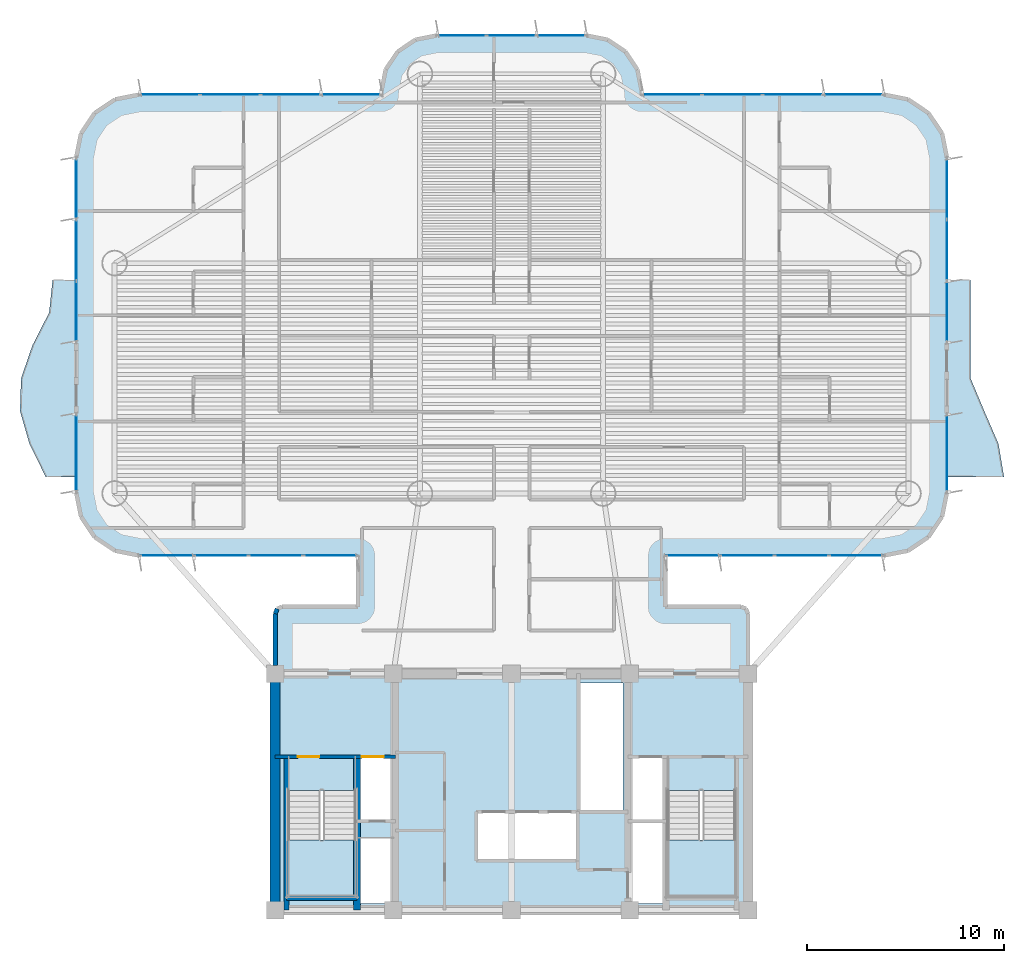
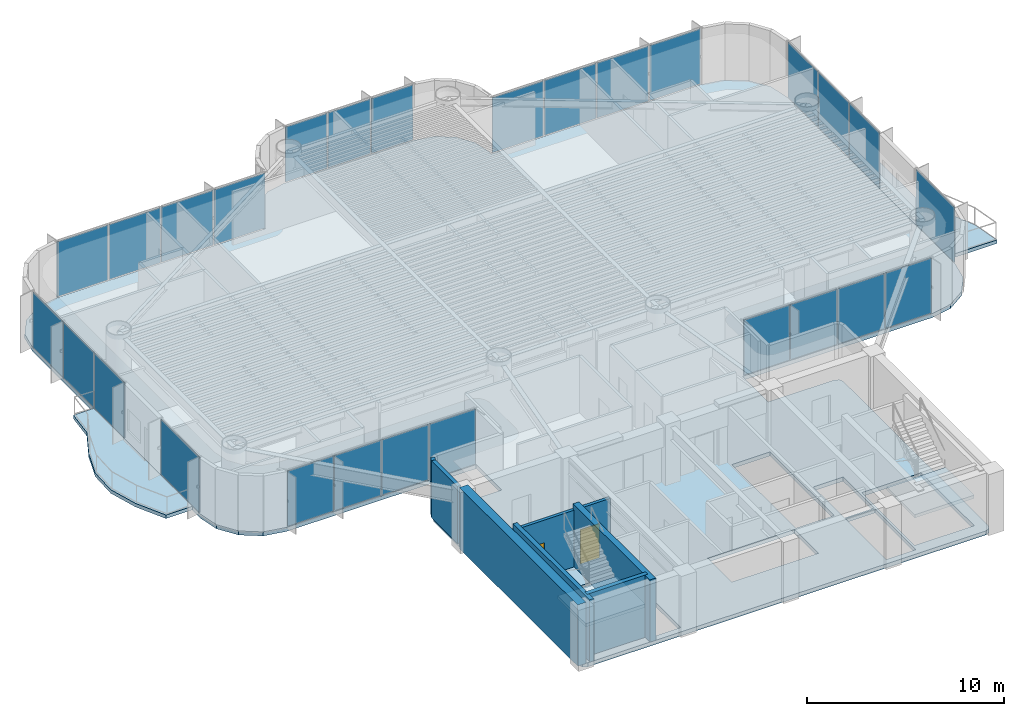
# One storey, part 8 of 17: 27 plates, 7 walls, 5 slabs, 2 doors, 2 openings, 11 elements without a shape of their own.
"""IFC4 building model written with IfcOpenShell, lengths in metres."""

from ifc_helpers import new_model, si_unit, direction, frame, frame_2d, origin, origin_2d, place, context, subcontext, project, spatial, polyline, rectangle, outline, extrude, source, transform, mapped, material, layer, layer_set, type_object, element, fill, aggregate, save


model = new_model("IFC4")

# Units and contexts
model_context = context("Model", 3, precision=1e-05, world=origin(), true_north=direction((0.0, 1.0)))
body_context = subcontext(model_context, "Body", "Model", "MODEL_VIEW")
ifc_project = project(units=[si_unit("LENGTHUNIT", "METRE"), si_unit("AREAUNIT", "SQUARE_METRE"), si_unit("VOLUMEUNIT", "CUBIC_METRE"), si_unit("PLANEANGLEUNIT", "RADIAN"), si_unit("MASSUNIT", "GRAM", prefix="KILO")], contexts=[model_context])

# Site, building, storey
site_placement = place(None, origin())
site = spatial("IfcSite", under=ifc_project, at=site_placement, CompositionType="ELEMENT")
building_placement = place(site_placement, origin())
building = spatial("IfcBuilding", under=site, at=building_placement, Name="Brelvock Crest Care Tower", CompositionType="ELEMENT")
storey_placement = place(building_placement, frame((0.0, 0.0, 135.179931640625)))
storey = spatial("IfcBuildingStorey", under=building, at=storey_placement, Name="L34", CompositionType="ELEMENT", Elevation=135.179931640625)

# Slabs
ifc_material_1 = material(Name="Concrete N50 (50 MPa)", Category="concrete")
ifc_layer_1 = layer(ifc_material_1, 0.25, Name="SLB-FL3")
ifc_layer_set_1 = layer_set([ifc_layer_1], Name="Concrete N50 (50 MPa)")
slab_type_1 = type_object("IfcSlabType", Name="SLB-FL3", PredefinedType="FLOOR", material=ifc_layer_set_1)
slab_1_placement = place(storey_placement, frame((0.0, 0.0, -0.25)))
element("IfcSlab", 1, at=slab_1_placement, inside=storey, type_object=slab_type_1, Name="L34 Main Structural Slab", PredefinedType="FLOOR", context=body_context, shape_type="SweptSolid", body=[
    extrude(outline(polyline([(47.64990234375, 21.39990234375), (43.800048828125, 21.39990234375), (43.800048828125, 24.0), (54.89990234375, 24.0), (56.12451171875, 24.24365234375), (57.16259765625, 24.937255859375), (57.8564453125, 25.975341796875), (58.10009765625, 27.199951171875), (58.10009765625, 44.199951171875), (57.8564453125, 45.424560546875), (57.16259765625, 46.462646484375), (56.12451171875, 47.156494140625), (54.89990234375, 47.39990234375), (42.60009765625, 47.39990234375), (42.60009765625, 47.60009765625), (42.386962890625, 48.67138671875), (41.77978515625, 49.579833984375), (40.87158203125, 50.18701171875), (39.800048828125, 50.39990234375), (32.199951171875, 50.39990234375), (31.12841796875, 50.18701171875), (30.22021484375, 49.579833984375), (29.613037109375, 48.67138671875), (29.39990234375, 47.60009765625), (29.39990234375, 47.39990234375), (17.10009765625, 47.39990234375), (15.87548828125, 47.156494140625), (14.83740234375, 46.462646484375), (14.1435546875, 45.424560546875), (13.89990234375, 44.199951171875), (13.89990234375, 27.199951171875), (14.1435546875, 25.975341796875), (14.83740234375, 24.937255859375), (15.87548828125, 24.24365234375), (17.10009765625, 24.0), (28.199951171875, 24.0), (28.199951171875, 21.39990234375), (24.35009765625, 21.39990234375), (24.1025390625, 21.297607421875), (24.0, 21.050048828125), (24.0, 6.35009765625), (24.1025390625, 6.1025390625), (24.35009765625, 6.0), (47.64990234375, 6.0), (47.8974609375, 6.1025390625), (48.0, 6.35009765625), (48.0, 21.050048828125), (47.8974609375, 21.297607421875), (47.64990234375, 21.39990234375)]), holes=[polyline([(28.239990234375, 10.580078125), (29.97998046875, 10.580078125), (29.97998046875, 13.739990234375), (28.239990234375, 13.739990234375), (28.239990234375, 10.580078125)]), polyline([(42.02001953125, 10.580078125), (43.760009765625, 10.580078125), (43.760009765625, 13.739990234375), (42.02001953125, 13.739990234375), (42.02001953125, 10.580078125)]), polyline([(28.239990234375, 6.340087890625), (29.97998046875, 6.340087890625), (29.97998046875, 9.64990234375), (28.239990234375, 9.64990234375), (28.239990234375, 6.340087890625)]), polyline([(24.6298828125, 12.080078125), (24.6298828125, 6.699951171875), (28.110107421875, 6.699951171875), (28.110107421875, 12.080078125), (24.6298828125, 12.080078125)]), polyline([(43.889892578125, 12.080078125), (43.889892578125, 6.699951171875), (47.3701171875, 6.699951171875), (47.3701171875, 12.080078125), (43.889892578125, 12.080078125)]), polyline([(42.02001953125, 6.340087890625), (43.760009765625, 6.340087890625), (43.760009765625, 10.5), (42.02001953125, 10.5), (42.02001953125, 6.340087890625)]), polyline([(34.22998046875, 8.530029296875), (39.320068359375, 8.530029296875), (39.320068359375, 10.969970703125), (34.22998046875, 10.969970703125), (34.22998046875, 8.530029296875)]), polyline([(39.429931640625, 11.030029296875), (41.669921875, 11.030029296875), (41.669921875, 17.52001953125), (39.429931640625, 17.52001953125), (39.429931640625, 11.030029296875)])]), origin(), (0.0, 0.0, 1.0), 0.25),
])
ifc_layer_2 = layer(ifc_material_1, 0.219970703125, Name="SLB-WB1")
ifc_layer_set_2 = layer_set([ifc_layer_2], Name="Concrete N50 (50 MPa)")
slab_type_2 = type_object("IfcSlabType", Name="SLB-WB1", PredefinedType="FLOOR", material=ifc_layer_set_2)
slab_2_placement = place(storey_placement, frame((0.0, 0.0, -0.219970703125)))
element("IfcSlab", 2, at=slab_2_placement, inside=storey, type_object=slab_type_2, Name="L34 W Sinusoidal Wave Balcony Slab", PredefinedType="FLOOR", context=body_context, shape_type="SweptSolid", body=[
    extrude(outline(polyline([(13.89990234375, 38.0), (12.699951171875, 38.0), (12.526123046875, 36.333251953125), (11.675048828125, 34.666748046875), (11.102783203125, 33.0), (11.0458984375, 31.333251953125), (11.5283203125, 29.666748046875), (12.35009765625, 28.0), (13.89990234375, 28.0), (13.89990234375, 38.0)])), origin(), (0.0, 0.0, 1.0), 0.219970703125),
])
slab_3_placement = place(storey_placement, frame((0.0, 0.0, -0.219970703125)))
element("IfcSlab", 3, at=slab_3_placement, inside=storey, type_object=slab_type_2, Name="L34 E Sinusoidal Wave Balcony Slab", PredefinedType="FLOOR", context=body_context, shape_type="SweptSolid", body=[
    extrude(outline(polyline([(58.10009765625, 28.0), (61.0, 28.0), (60.720947265625, 29.666748046875), (59.99951171875, 31.333251953125), (59.300048828125, 33.0), (59.300048828125, 34.666748046875), (59.300048828125, 36.333251953125), (59.300048828125, 38.0), (58.10009765625, 38.0), (58.10009765625, 28.0)])), origin(), (0.0, 0.0, 1.0), 0.219970703125),
])

# Stair, slab
ifc_material_2 = material(Name="Concrete N40 (40 MPa)", Category="concrete")
stair_type = type_object("IfcStairType", Name="ST-CORE1", PredefinedType="HALF_TURN_STAIR", material=ifc_material_2)
stair_1_placement = place(storey_placement, origin())
stair_1 = element("IfcStair", 4, at=stair_1_placement, inside=storey, type_object=stair_type, Name="L34 Fire-Isolated Core Stair ST-1", PredefinedType="HALF_TURN_STAIR")
ifc_layer_3 = layer(ifc_material_2, 0.199951171875, Name="STL-1")
ifc_layer_set_3 = layer_set([ifc_layer_3], Name="Concrete N40 (40 MPa)")
slab_type_3 = type_object("IfcSlabType", Name="STL-1", PredefinedType="LANDING", material=ifc_layer_set_3)
slab_4_placement = place(storey_placement, frame((0.0, 0.0, 1.690185546875)))
slab_4 = element("IfcSlab", 5, at=slab_4_placement, type_object=slab_type_3, Name="ST-1 landing 1", PredefinedType="LANDING", context=body_context, shape_type="SweptSolid", body=[
    extrude(outline(polyline([(24.6298828125, 9.56005859375), (24.6298828125, 6.699951171875), (28.110107421875, 6.699951171875), (28.110107421875, 9.56005859375), (24.6298828125, 9.56005859375)])), origin(), (0.0, 0.0, 1.0), 0.199951171875),
])
aggregate(stair_1, [slab_4])

stair_2_placement = place(storey_placement, origin())
stair_2 = element("IfcStair", 6, at=stair_2_placement, inside=storey, type_object=stair_type, Name="L34 Fire-Isolated Core Stair ST-2", PredefinedType="HALF_TURN_STAIR")
slab_5_placement = place(storey_placement, frame((0.0, 0.0, 1.690185546875)))
slab_5 = element("IfcSlab", 7, at=slab_5_placement, type_object=slab_type_3, Name="ST-2 landing 1", PredefinedType="LANDING", context=body_context, shape_type="SweptSolid", body=[
    extrude(outline(polyline([(43.889892578125, 9.56005859375), (43.889892578125, 6.699951171875), (47.3701171875, 6.699951171875), (47.3701171875, 9.56005859375), (43.889892578125, 9.56005859375)])), origin(), (0.0, 0.0, 1.0), 0.199951171875),
])
aggregate(stair_2, [slab_5])

# Curtain wall, plates
ifc_material_3 = material(Name="Dark Glass Double Glazed Low-E", Category="glass")
ifc_layer_4 = layer(ifc_material_3, 0.2099609375, Name="CWS-3")
ifc_layer_set_4 = layer_set([ifc_layer_4], Name="Dark Glass Double Glazed Low-E")
curtain_wall_type = type_object("IfcCurtainWallType", Name="CWS-3", PredefinedType="NOTDEFINED", material=ifc_layer_set_4)
curtain_wall_1_placement = place(storey_placement, origin())
curtain_wall_1 = element("IfcCurtainWall", 8, at=curtain_wall_1_placement, inside=storey, type_object=curtain_wall_type, Name="L34 Curtain Wall E12", PredefinedType="NOTDEFINED")
ifc_layer_5 = layer(ifc_material_3, 0.031982421875, Name="CWP-V1")
ifc_layer_set_5 = layer_set([ifc_layer_5], Name="Dark Glass Double Glazed Low-E")
plate_type = type_object("IfcPlateType", Name="CWP-V1", PredefinedType="CURTAIN_PANEL", material=ifc_layer_set_5)
shared_shape_1 = source(origin(), body_context, "Body", "SweptSolid", [
    extrude(rectangle(XDim=2.68505859375, YDim=0.035888671875, at=origin_2d()), origin(), (0.0, 0.0, 1.0), 3.409912109375),
])
plate_1_placement = place(storey_placement, frame((26.797607421875, 24.0, 0.06005859375), z_axis=(0.0, 0.0, 1.0), x_axis=(-1.0, 0.0, 0.0)))
plate_1 = element("IfcPlate", 9, at=plate_1_placement, type_object=plate_type, Name="CW-3 panel 1.1", PredefinedType="CURTAIN_PANEL", context=body_context, shape_type="MappedRepresentation", body=[
    mapped(shared_shape_1, transform((0.0, 0.0, 0.0), x_axis=(1.0, 0.0, 0.0), y_axis=(0.0, 1.0, 0.0), z_axis=(0.0, 0.0, 1.0), scale=1.0)),
])
plate_2_placement = place(storey_placement, frame((18.50244140625, 24.0, 0.06005859375), z_axis=(0.0, 0.0, 1.0), x_axis=(-1.0, 0.0, 0.0)))
plate_2 = element("IfcPlate", 10, at=plate_2_placement, type_object=plate_type, Name="CW-3 panel 4.1", PredefinedType="CURTAIN_PANEL", context=body_context, shape_type="MappedRepresentation", body=[
    mapped(shared_shape_1, transform((0.0, 0.0, 0.0), x_axis=(1.0, 0.0, 0.0), y_axis=(0.0, 1.0, 0.0), z_axis=(0.0, 0.0, 1.0), scale=1.0)),
])

curtain_wall_2_placement = place(storey_placement, origin())
curtain_wall_2 = element("IfcCurtainWall", 11, at=curtain_wall_2_placement, inside=storey, type_object=curtain_wall_type, Name="L34 Curtain Wall E44", PredefinedType="NOTDEFINED")
plate_3_placement = place(storey_placement, frame((53.49755859375, 24.0, 0.06005859375), z_axis=(0.0, 0.0, 1.0), x_axis=(-1.0, 0.0, 0.0)))
plate_3 = element("IfcPlate", 12, at=plate_3_placement, type_object=plate_type, Name="CW-3 panel 1.1", PredefinedType="CURTAIN_PANEL", context=body_context, shape_type="MappedRepresentation", body=[
    mapped(shared_shape_1, transform((0.0, 0.0, 0.0), x_axis=(1.0, 0.0, 0.0), y_axis=(0.0, 1.0, 0.0), z_axis=(0.0, 0.0, 1.0), scale=1.0)),
])
plate_4_placement = place(storey_placement, frame((45.202392578125, 24.0, 0.06005859375), z_axis=(0.0, 0.0, 1.0), x_axis=(-1.0, 0.0, 0.0)))
plate_4 = element("IfcPlate", 13, at=plate_4_placement, type_object=plate_type, Name="CW-3 panel 4.1", PredefinedType="CURTAIN_PANEL", context=body_context, shape_type="MappedRepresentation", body=[
    mapped(shared_shape_1, transform((0.0, 0.0, 0.0), x_axis=(1.0, 0.0, 0.0), y_axis=(0.0, 1.0, 0.0), z_axis=(0.0, 0.0, 1.0), scale=1.0)),
])

# Plate
shared_shape_2 = source(origin(), body_context, "Body", "SweptSolid", [
    extrude(rectangle(XDim=2.715087890625, YDim=0.035888671875, at=origin_2d()), origin(), (0.0, 0.0, 1.0), 3.409912109375),
])
plate_5_placement = place(storey_placement, frame((24.03759765625, 24.0, 0.06005859375), z_axis=(0.0, 0.0, 1.0), x_axis=(-1.0, 0.0, 0.0)))
plate_5 = element("IfcPlate", 14, at=plate_5_placement, type_object=plate_type, Name="CW-3 panel 2.1", PredefinedType="CURTAIN_PANEL", context=body_context, shape_type="MappedRepresentation", body=[
    mapped(shared_shape_2, transform((0.0, 0.0, 0.0), x_axis=(1.0, 0.0, 0.0), y_axis=(0.0, 1.0, 0.0), z_axis=(0.0, 0.0, 1.0), scale=1.0)),
])

plate_6_placement = place(storey_placement, frame((21.262451171875, 24.0, 0.06005859375), z_axis=(0.0, 0.0, 1.0), x_axis=(-1.0, 0.0, 0.0)))
plate_6 = element("IfcPlate", 15, at=plate_6_placement, type_object=plate_type, Name="CW-3 panel 3.1", PredefinedType="CURTAIN_PANEL", context=body_context, shape_type="MappedRepresentation", body=[
    mapped(shared_shape_2, transform((0.0, 0.0, 0.0), x_axis=(1.0, 0.0, 0.0), y_axis=(0.0, 1.0, 0.0), z_axis=(0.0, 0.0, 1.0), scale=1.0)),
])

aggregate(curtain_wall_1, [plate_1, plate_5, plate_6, plate_2])

plate_7_placement = place(storey_placement, frame((50.737548828125, 24.0, 0.06005859375), z_axis=(0.0, 0.0, 1.0), x_axis=(-1.0, 0.0, 0.0)))
plate_7 = element("IfcPlate", 16, at=plate_7_placement, type_object=plate_type, Name="CW-3 panel 2.1", PredefinedType="CURTAIN_PANEL", context=body_context, shape_type="MappedRepresentation", body=[
    mapped(shared_shape_2, transform((0.0, 0.0, 0.0), x_axis=(1.0, 0.0, 0.0), y_axis=(0.0, 1.0, 0.0), z_axis=(0.0, 0.0, 1.0), scale=1.0)),
])

plate_8_placement = place(storey_placement, frame((47.96240234375, 24.0, 0.06005859375), z_axis=(0.0, 0.0, 1.0), x_axis=(-1.0, 0.0, 0.0)))
plate_8 = element("IfcPlate", 17, at=plate_8_placement, type_object=plate_type, Name="CW-3 panel 3.1", PredefinedType="CURTAIN_PANEL", context=body_context, shape_type="MappedRepresentation", body=[
    mapped(shared_shape_2, transform((0.0, 0.0, 0.0), x_axis=(1.0, 0.0, 0.0), y_axis=(0.0, 1.0, 0.0), z_axis=(0.0, 0.0, 1.0), scale=1.0)),
])

aggregate(curtain_wall_2, [plate_3, plate_7, plate_8, plate_4])

# Curtain wall, plates
curtain_wall_3_placement = place(storey_placement, origin())
curtain_wall_3 = element("IfcCurtainWall", 18, at=curtain_wall_3_placement, inside=storey, type_object=curtain_wall_type, Name="L34 Curtain Wall E22", PredefinedType="NOTDEFINED")
shared_shape_3 = source(origin(), body_context, "Body", "SweptSolid", [
    extrude(rectangle(XDim=2.985107421875, YDim=0.035888671875, at=origin_2d()), origin(), (0.0, 0.0, 1.0), 3.409912109375),
])
plate_9_placement = place(storey_placement, frame((18.652587890625, 47.39990234375, 0.06005859375), z_axis=(0.0, 0.0, 1.0), x_axis=(1.0, 0.0, 0.0)))
plate_9 = element("IfcPlate", 19, at=plate_9_placement, type_object=plate_type, Name="CW-3 panel 1.1", PredefinedType="CURTAIN_PANEL", context=body_context, shape_type="MappedRepresentation", body=[
    mapped(shared_shape_3, transform((0.0, 0.0, 0.0), x_axis=(1.0, 0.0, 0.0), y_axis=(0.0, 1.0, 0.0), z_axis=(0.0, 0.0, 1.0), scale=1.0)),
])
plate_10_placement = place(storey_placement, frame((27.847412109375, 47.39990234375, 0.06005859375), z_axis=(0.0, 0.0, 1.0), x_axis=(1.0, 0.0, 0.0)))
plate_10 = element("IfcPlate", 20, at=plate_10_placement, type_object=plate_type, Name="CW-3 panel 4.1", PredefinedType="CURTAIN_PANEL", context=body_context, shape_type="MappedRepresentation", body=[
    mapped(shared_shape_3, transform((0.0, 0.0, 0.0), x_axis=(1.0, 0.0, 0.0), y_axis=(0.0, 1.0, 0.0), z_axis=(0.0, 0.0, 1.0), scale=1.0)),
])

curtain_wall_4_placement = place(storey_placement, origin())
curtain_wall_4 = element("IfcCurtainWall", 21, at=curtain_wall_4_placement, inside=storey, type_object=curtain_wall_type, Name="L34 Curtain Wall E34", PredefinedType="NOTDEFINED")
plate_11_placement = place(storey_placement, frame((44.152587890625, 47.39990234375, 0.06005859375), z_axis=(0.0, 0.0, 1.0), x_axis=(1.0, 0.0, 0.0)))
plate_11 = element("IfcPlate", 22, at=plate_11_placement, type_object=plate_type, Name="CW-3 panel 1.1", PredefinedType="CURTAIN_PANEL", context=body_context, shape_type="MappedRepresentation", body=[
    mapped(shared_shape_3, transform((0.0, 0.0, 0.0), x_axis=(1.0, 0.0, 0.0), y_axis=(0.0, 1.0, 0.0), z_axis=(0.0, 0.0, 1.0), scale=1.0)),
])
plate_12_placement = place(storey_placement, frame((53.347412109375, 47.39990234375, 0.06005859375), z_axis=(0.0, 0.0, 1.0), x_axis=(1.0, 0.0, 0.0)))
plate_12 = element("IfcPlate", 23, at=plate_12_placement, type_object=plate_type, Name="CW-3 panel 4.1", PredefinedType="CURTAIN_PANEL", context=body_context, shape_type="MappedRepresentation", body=[
    mapped(shared_shape_3, transform((0.0, 0.0, 0.0), x_axis=(1.0, 0.0, 0.0), y_axis=(0.0, 1.0, 0.0), z_axis=(0.0, 0.0, 1.0), scale=1.0)),
])

# Plate
shared_shape_4 = source(origin(), body_context, "Body", "SweptSolid", [
    extrude(rectangle(XDim=3.014892578125, YDim=0.035888671875, at=origin_2d()), origin(), (0.0, 0.0, 1.0), 3.409912109375),
])
plate_13_placement = place(storey_placement, frame((21.71240234375, 47.39990234375, 0.06005859375), z_axis=(0.0, 0.0, 1.0), x_axis=(1.0, 0.0, 0.0)))
plate_13 = element("IfcPlate", 24, at=plate_13_placement, type_object=plate_type, Name="CW-3 panel 2.1", PredefinedType="CURTAIN_PANEL", context=body_context, shape_type="MappedRepresentation", body=[
    mapped(shared_shape_4, transform((0.0, 0.0, 0.0), x_axis=(1.0, 0.0, 0.0), y_axis=(0.0, 1.0, 0.0), z_axis=(0.0, 0.0, 1.0), scale=1.0)),
])

plate_14_placement = place(storey_placement, frame((24.78759765625, 47.39990234375, 0.06005859375), z_axis=(0.0, 0.0, 1.0), x_axis=(1.0, 0.0, 0.0)))
plate_14 = element("IfcPlate", 25, at=plate_14_placement, type_object=plate_type, Name="CW-3 panel 3.1", PredefinedType="CURTAIN_PANEL", context=body_context, shape_type="MappedRepresentation", body=[
    mapped(shared_shape_4, transform((0.0, 0.0, 0.0), x_axis=(1.0, 0.0, 0.0), y_axis=(0.0, 1.0, 0.0), z_axis=(0.0, 0.0, 1.0), scale=1.0)),
])

aggregate(curtain_wall_3, [plate_9, plate_13, plate_14, plate_10])

plate_15_placement = place(storey_placement, frame((47.21240234375, 47.39990234375, 0.06005859375), z_axis=(0.0, 0.0, 1.0), x_axis=(1.0, 0.0, 0.0)))
plate_15 = element("IfcPlate", 26, at=plate_15_placement, type_object=plate_type, Name="CW-3 panel 2.1", PredefinedType="CURTAIN_PANEL", context=body_context, shape_type="MappedRepresentation", body=[
    mapped(shared_shape_4, transform((0.0, 0.0, 0.0), x_axis=(1.0, 0.0, 0.0), y_axis=(0.0, 1.0, 0.0), z_axis=(0.0, 0.0, 1.0), scale=1.0)),
])

plate_16_placement = place(storey_placement, frame((50.28759765625, 47.39990234375, 0.06005859375), z_axis=(0.0, 0.0, 1.0), x_axis=(1.0, 0.0, 0.0)))
plate_16 = element("IfcPlate", 27, at=plate_16_placement, type_object=plate_type, Name="CW-3 panel 3.1", PredefinedType="CURTAIN_PANEL", context=body_context, shape_type="MappedRepresentation", body=[
    mapped(shared_shape_4, transform((0.0, 0.0, 0.0), x_axis=(1.0, 0.0, 0.0), y_axis=(0.0, 1.0, 0.0), z_axis=(0.0, 0.0, 1.0), scale=1.0)),
])

aggregate(curtain_wall_4, [plate_11, plate_15, plate_16, plate_12])

# Curtain wall, plates
curtain_wall_5_placement = place(storey_placement, origin())
curtain_wall_5 = element("IfcCurtainWall", 28, at=curtain_wall_5_placement, inside=storey, type_object=curtain_wall_type, Name="L34 Curtain Wall E28", PredefinedType="NOTDEFINED")
shared_shape_5 = source(origin(), body_context, "Body", "SweptSolid", [
    extrude(rectangle(XDim=2.443359375, YDim=0.035888671875, at=origin_2d()), origin(), (0.0, 0.0, 1.0), 3.409912109375),
])
plate_17_placement = place(storey_placement, frame((33.481689453125, 50.39990234375, 0.06005859375), z_axis=(0.0, 0.0, 1.0), x_axis=(1.0, 0.0, 0.0)))
plate_17 = element("IfcPlate", 29, at=plate_17_placement, type_object=plate_type, Name="CW-3 panel 1.1", PredefinedType="CURTAIN_PANEL", context=body_context, shape_type="MappedRepresentation", body=[
    mapped(shared_shape_5, transform((0.0, 0.0, 0.0), x_axis=(1.0, 0.0, 0.0), y_axis=(0.0, 1.0, 0.0), z_axis=(0.0, 0.0, 1.0), scale=1.0)),
])
plate_18_placement = place(storey_placement, frame((38.518310546875, 50.39990234375, 0.06005859375), z_axis=(0.0, 0.0, 1.0), x_axis=(1.0, 0.0, 0.0)))
plate_18 = element("IfcPlate", 30, at=plate_18_placement, type_object=plate_type, Name="CW-3 panel 3.1", PredefinedType="CURTAIN_PANEL", context=body_context, shape_type="MappedRepresentation", body=[
    mapped(shared_shape_5, transform((0.0, 0.0, 0.0), x_axis=(1.0, 0.0, 0.0), y_axis=(0.0, 1.0, 0.0), z_axis=(0.0, 0.0, 1.0), scale=1.0)),
])
shared_shape_6 = source(origin(), body_context, "Body", "SweptSolid", [
    extrude(rectangle(XDim=2.473388671875, YDim=0.035888671875, at=origin_2d()), origin(), (0.0, 0.0, 1.0), 3.409912109375),
])
plate_19_placement = place(storey_placement, frame((36.0, 50.39990234375, 0.06005859375), z_axis=(0.0, 0.0, 1.0), x_axis=(1.0, 0.0, 0.0)))
plate_19 = element("IfcPlate", 31, at=plate_19_placement, type_object=plate_type, Name="CW-3 panel 2.1", PredefinedType="CURTAIN_PANEL", context=body_context, shape_type="MappedRepresentation", body=[
    mapped(shared_shape_6, transform((0.0, 0.0, 0.0), x_axis=(1.0, 0.0, 0.0), y_axis=(0.0, 1.0, 0.0), z_axis=(0.0, 0.0, 1.0), scale=1.0)),
])
aggregate(curtain_wall_5, [plate_17, plate_19, plate_18])

# Curtain wall, plate
curtain_wall_6_placement = place(storey_placement, origin())
curtain_wall_6 = element("IfcCurtainWall", 32, at=curtain_wall_6_placement, inside=storey, type_object=curtain_wall_type, Name="L34 Curtain Wall E17A", PredefinedType="NOTDEFINED")
shared_shape_7 = source(origin(), body_context, "Body", "SweptSolid", [
    extrude(rectangle(XDim=3.8798828125, YDim=0.035888671875, at=origin_2d()), origin(), (0.0, 0.0, 1.0), 3.409912109375),
])
plate_20_placement = place(storey_placement, frame((13.89990234375, 29.199951171875, 0.06005859375), z_axis=(0.0, 0.0, 1.0), x_axis=(0.0, 1.0, 0.0)))
plate_20 = element("IfcPlate", 33, at=plate_20_placement, type_object=plate_type, Name="CW-3 panel 1.1", PredefinedType="CURTAIN_PANEL", context=body_context, shape_type="MappedRepresentation", body=[
    mapped(shared_shape_7, transform((0.0, 0.0, 0.0), x_axis=(1.0, 0.0, 0.0), y_axis=(0.0, 1.0, 0.0), z_axis=(0.0, 0.0, 1.0), scale=1.0)),
])
aggregate(curtain_wall_6, [plate_20])

curtain_wall_7_placement = place(storey_placement, origin())
curtain_wall_7 = element("IfcCurtainWall", 34, at=curtain_wall_7_placement, inside=storey, type_object=curtain_wall_type, Name="L34 Curtain Wall E39B", PredefinedType="NOTDEFINED")
plate_21_placement = place(storey_placement, frame((58.10009765625, 29.199951171875, 0.06005859375), z_axis=(0.0, 0.0, 1.0), x_axis=(0.0, -1.0, 0.0)))
plate_21 = element("IfcPlate", 35, at=plate_21_placement, type_object=plate_type, Name="CW-3 panel 1.1", PredefinedType="CURTAIN_PANEL", context=body_context, shape_type="MappedRepresentation", body=[
    mapped(shared_shape_7, transform((0.0, 0.0, 0.0), x_axis=(1.0, 0.0, 0.0), y_axis=(0.0, 1.0, 0.0), z_axis=(0.0, 0.0, 1.0), scale=1.0)),
])
aggregate(curtain_wall_7, [plate_21])

# Curtain wall, plates
curtain_wall_8_placement = place(storey_placement, origin())
curtain_wall_8 = element("IfcCurtainWall", 36, at=curtain_wall_8_placement, inside=storey, type_object=curtain_wall_type, Name="L34 Curtain Wall E17B", PredefinedType="NOTDEFINED")
shared_shape_8 = source(origin(), body_context, "Body", "SweptSolid", [
    extrude(rectangle(XDim=3.043212890625, YDim=0.035888671875, at=origin_2d()), origin(), (0.0, 0.0, 1.0), 3.409912109375),
])
plate_22_placement = place(storey_placement, frame((13.89990234375, 36.381591796875, 0.06005859375), z_axis=(0.0, 0.0, 1.0), x_axis=(0.0, 1.0, 0.0)))
plate_22 = element("IfcPlate", 37, at=plate_22_placement, type_object=plate_type, Name="CW-3 panel 1.1", PredefinedType="CURTAIN_PANEL", context=body_context, shape_type="MappedRepresentation", body=[
    mapped(shared_shape_8, transform((0.0, 0.0, 0.0), x_axis=(1.0, 0.0, 0.0), y_axis=(0.0, 1.0, 0.0), z_axis=(0.0, 0.0, 1.0), scale=1.0)),
])
plate_23_placement = place(storey_placement, frame((13.89990234375, 42.618408203125, 0.06005859375), z_axis=(0.0, 0.0, 1.0), x_axis=(0.0, 1.0, 0.0)))
plate_23 = element("IfcPlate", 38, at=plate_23_placement, type_object=plate_type, Name="CW-3 panel 3.1", PredefinedType="CURTAIN_PANEL", context=body_context, shape_type="MappedRepresentation", body=[
    mapped(shared_shape_8, transform((0.0, 0.0, 0.0), x_axis=(1.0, 0.0, 0.0), y_axis=(0.0, 1.0, 0.0), z_axis=(0.0, 0.0, 1.0), scale=1.0)),
])

curtain_wall_9_placement = place(storey_placement, origin())
curtain_wall_9 = element("IfcCurtainWall", 39, at=curtain_wall_9_placement, inside=storey, type_object=curtain_wall_type, Name="L34 Curtain Wall E39A", PredefinedType="NOTDEFINED")
plate_24_placement = place(storey_placement, frame((58.10009765625, 42.618408203125, 0.06005859375), z_axis=(0.0, 0.0, 1.0), x_axis=(0.0, -1.0, 0.0)))
plate_24 = element("IfcPlate", 40, at=plate_24_placement, type_object=plate_type, Name="CW-3 panel 1.1", PredefinedType="CURTAIN_PANEL", context=body_context, shape_type="MappedRepresentation", body=[
    mapped(shared_shape_8, transform((0.0, 0.0, 0.0), x_axis=(1.0, 0.0, 0.0), y_axis=(0.0, 1.0, 0.0), z_axis=(0.0, 0.0, 1.0), scale=1.0)),
])
plate_25_placement = place(storey_placement, frame((58.10009765625, 36.381591796875, 0.06005859375), z_axis=(0.0, 0.0, 1.0), x_axis=(0.0, -1.0, 0.0)))
plate_25 = element("IfcPlate", 41, at=plate_25_placement, type_object=plate_type, Name="CW-3 panel 3.1", PredefinedType="CURTAIN_PANEL", context=body_context, shape_type="MappedRepresentation", body=[
    mapped(shared_shape_8, transform((0.0, 0.0, 0.0), x_axis=(1.0, 0.0, 0.0), y_axis=(0.0, 1.0, 0.0), z_axis=(0.0, 0.0, 1.0), scale=1.0)),
])

# Plate
shared_shape_9 = source(origin(), body_context, "Body", "SweptSolid", [
    extrude(rectangle(XDim=3.0732421875, YDim=0.035888671875, at=origin_2d()), origin(), (0.0, 0.0, 1.0), 3.409912109375),
])
plate_26_placement = place(storey_placement, frame((13.89990234375, 39.5, 0.06005859375), z_axis=(0.0, 0.0, 1.0), x_axis=(0.0, 1.0, 0.0)))
plate_26 = element("IfcPlate", 42, at=plate_26_placement, type_object=plate_type, Name="CW-3 panel 2.1", PredefinedType="CURTAIN_PANEL", context=body_context, shape_type="MappedRepresentation", body=[
    mapped(shared_shape_9, transform((0.0, 0.0, 0.0), x_axis=(1.0, 0.0, 0.0), y_axis=(0.0, 1.0, 0.0), z_axis=(0.0, 0.0, 1.0), scale=1.0)),
])

aggregate(curtain_wall_8, [plate_22, plate_26, plate_23])

plate_27_placement = place(storey_placement, frame((58.10009765625, 39.5, 0.06005859375), z_axis=(0.0, 0.0, 1.0), x_axis=(0.0, -1.0, 0.0)))
plate_27 = element("IfcPlate", 43, at=plate_27_placement, type_object=plate_type, Name="CW-3 panel 2.1", PredefinedType="CURTAIN_PANEL", context=body_context, shape_type="MappedRepresentation", body=[
    mapped(shared_shape_9, transform((0.0, 0.0, 0.0), x_axis=(1.0, 0.0, 0.0), y_axis=(0.0, 1.0, 0.0), z_axis=(0.0, 0.0, 1.0), scale=1.0)),
])

aggregate(curtain_wall_9, [plate_24, plate_27, plate_25])

# Walls
ifc_material_4 = material(Name="Concrete S80 (80 MPa)", Category="concrete")
ifc_layer_6 = layer(ifc_material_4, 0.5, Name="WL-CS2")
ifc_layer_set_6 = layer_set([ifc_layer_6], Name="Concrete S80 (80 MPa)")
wall_type_1 = type_object("IfcWallType", Name="WL-CS2", PredefinedType="SHEAR", material=ifc_layer_set_6)
wall_1_placement = place(storey_placement, frame((24.0, 6.0, 0.0), z_axis=(0.0, 0.0, 1.0), x_axis=(0.0, 1.0, 0.0)))
element("IfcWall", 44, at=wall_1_placement, inside=storey, type_object=wall_type_1, Name="L34 Core West Shear Wall", PredefinedType="SHEAR", context=body_context, shape_type="SweptSolid", body=[
    extrude(rectangle(XDim=12.0, YDim=0.5, at=frame_2d((6.0, 0.0))), origin(), (0.0, 0.0, 1.0), 3.780029296875),
])
ifc_layer_7 = layer(ifc_material_4, 0.35009765625, Name="WL-CS5")
ifc_layer_set_7 = layer_set([ifc_layer_7], Name="Concrete S80 (80 MPa)")
wall_type_2 = type_object("IfcWallType", Name="WL-CS5", PredefinedType="SHEAR", material=ifc_layer_set_7)
wall_2_placement = place(storey_placement, frame((28.14990234375, 6.0, 0.0), z_axis=(0.0, 0.0, 1.0), x_axis=(0.0, 1.0, 0.0)))
element("IfcWall", 45, at=wall_2_placement, inside=storey, type_object=wall_type_2, Name="L34 Core Stair ST-1 East Shear Wall", PredefinedType="SHEAR", context=body_context, shape_type="SweptSolid", body=[
    extrude(rectangle(XDim=7.780029296875, YDim=0.35009765625, at=frame_2d((3.89013671875, 0.0))), origin(), (0.0, 0.0, 1.0), 3.85009765625),
])
ifc_layer_8 = layer(ifc_material_4, 0.25, Name="WL-CS6")
ifc_layer_set_8 = layer_set([ifc_layer_8], Name="Concrete S80 (80 MPa)")
wall_type_3 = type_object("IfcWallType", Name="WL-CS6", PredefinedType="SHEAR", material=ifc_layer_set_8)
wall_3_placement = place(storey_placement, frame((24.580078125, 6.0, 0.0), z_axis=(0.0, 0.0, 1.0), x_axis=(0.0, 1.0, 0.0)))
element("IfcWall", 46, at=wall_3_placement, inside=storey, type_object=wall_type_3, Name="L34 Core Stair ST-1 West Shear Wall", PredefinedType="SHEAR", context=body_context, shape_type="SweptSolid", body=[
    extrude(rectangle(XDim=7.780029296875, YDim=0.25, at=frame_2d((3.89013671875, 0.0))), origin(), (0.0, 0.0, 1.0), 3.85009765625),
])
wall_4_placement = place(storey_placement, frame((24.580078125, 6.6201171875, 0.0), z_axis=(0.0, 0.0, 1.0), x_axis=(1.0, 0.0, 0.0)))
element("IfcWall", 47, at=wall_4_placement, inside=storey, type_object=wall_type_3, Name="L34 Core Stair ST-1 South Shear Wall", PredefinedType="SHEAR", context=body_context, shape_type="SweptSolid", body=[
    extrude(rectangle(XDim=3.56982421875, YDim=0.25, at=frame_2d((1.784912109375, 0.0))), origin(), (0.0, 0.0, 1.0), 3.85009765625),
])
ifc_material_5 = material(Name="Precast concrete N40 (40 MPa)", Category="concrete")
ifc_layer_9 = layer(ifc_material_5, 0.215087890625, Name="WL-EX2")
ifc_layer_set_9 = layer_set([ifc_layer_9], Name="Precast concrete N40 (40 MPa)")
wall_type_4 = type_object("IfcWallType", Name="WL-EX2", PredefinedType="SOLIDWALL", material=ifc_layer_set_9)
wall_5_placement = place(storey_placement, frame((24.0, 18.429931640625, 0.0), z_axis=(0.0, 0.0, 1.0), x_axis=(0.0, 1.0, 0.0)))
element("IfcWall", 48, at=wall_5_placement, inside=storey, type_object=wall_type_4, Name="L34 Rounded Corner Wall 07", PredefinedType="SOLIDWALL", context=body_context, shape_type="SweptSolid", body=[
    extrude(rectangle(XDim=2.6201171875, YDim=0.215087890625, at=frame_2d((1.31005859375, 0.0))), origin(), (0.0, 0.0, 1.0), 3.530029296875),
])
wall_6_placement = place(storey_placement, frame((24.0, 21.050048828125, 0.0), z_axis=(0.0, 0.0, 1.0), x_axis=(0.382673670509, 0.923883575944, 0.0)))
element("IfcWall", 49, at=wall_6_placement, inside=storey, type_object=wall_type_4, Name="L34 Rounded Corner Wall 08", PredefinedType="SOLIDWALL", context=body_context, shape_type="SweptSolid", body=[
    extrude(rectangle(XDim=0.26806640625, YDim=0.215087890625, at=frame_2d((0.134033203125, 0.0))), origin(), (0.0, 0.0, 1.0), 3.530029296875),
])

# Wall, openings, doors
ifc_material_6 = material(Name="Masonry Blockwork Acoustic Partition", Category="masonry")
ifc_layer_10 = layer(ifc_material_6, 0.179931640625, Name="WL-SHF1")
ifc_layer_set_10 = layer_set([ifc_layer_10], Name="Masonry Blockwork Acoustic Partition")
wall_type_5 = type_object("IfcWallType", Name="WL-SHF1", PredefinedType="PARTITIONING", material=ifc_layer_set_10)
wall_7_placement = place(storey_placement, frame((24.0, 13.780029296875, 0.0), z_axis=(0.0, 0.0, 1.0), x_axis=(1.0, 0.0, 0.0)))
wall_7 = element("IfcWall", 50, at=wall_7_placement, inside=storey, type_object=wall_type_5, Name="L34 Interior Wall WL-ST1-N-L34", PredefinedType="PARTITIONING", context=body_context, shape_type="SweptSolid", body=[
    extrude(rectangle(XDim=6.10009765625, YDim=0.179931640625, at=frame_2d((3.050048828125, 0.0))), origin(), (0.0, 0.0, 1.0), 3.5),
])
opening_1_placement = place(wall_7_placement, frame((1.14990234375, 0.0, 0.0)))
opening_1 = element("IfcOpeningElement", 51, at=opening_1_placement, cuts=wall_7, Name="Opening SD-1", PredefinedType="OPENING", context=body_context, shape_type="SweptSolid", body=[
    extrude(rectangle(XDim=1.10009765625, YDim=2.10009765625, at=origin_2d()), frame((0.550048828125, 0.10009765625, 1.050048828125), z_axis=(0.0, -1.0, 0.0), x_axis=(1.0, 0.0, 0.0)), (0.0, 0.0, 1.0), 0.199951171875),
])
opening_2_placement = place(wall_7_placement, frame((4.39990234375, 0.0, 0.0)))
opening_2 = element("IfcOpeningElement", 52, at=opening_2_placement, cuts=wall_7, Name="Opening LD", PredefinedType="OPENING", context=body_context, shape_type="SweptSolid", body=[
    extrude(rectangle(XDim=1.10009765625, YDim=2.10009765625, at=origin_2d()), frame((0.550048828125, 0.10009765625, 1.050048828125), z_axis=(0.0, -1.0, 0.0), x_axis=(1.0, 0.0, 0.0)), (0.0, 0.0, 1.0), 0.199951171875),
])
ifc_material_7 = material(Name="Steel Grade 350", Category="steel")
door_type_1 = type_object("IfcDoorType", Name="DR-ST1", OperationType="NOTDEFINED", PredefinedType="DOOR", material=ifc_material_7)
shared_shape_10 = source(origin(), body_context, "Body", "SweptSolid", [
    extrude(rectangle(XDim=1.10009765625, YDim=2.10009765625, at=origin_2d()), frame((0.550048828125, 0.02490234375, 1.050048828125), z_axis=(0.0, -1.0, 0.0), x_axis=(1.0, 0.0, 0.0)), (0.0, 0.0, 1.0), 0.050048828125),
])
door_1_placement = place(opening_1_placement, origin())
door_1 = element("IfcDoor", 53, at=door_1_placement, inside=storey, type_object=door_type_1, Name="L34 Fire Stair ST-1 Door", OperationType="SINGLE_SWING_LEFT", OverallHeight=2.10009765625, OverallWidth=1.10009765625, PredefinedType="DOOR", context=body_context, shape_type="MappedRepresentation", body=[
    mapped(shared_shape_10, transform((0.0, 0.0, 0.0), x_axis=(1.0, 0.0, 0.0), y_axis=(0.0, 1.0, 0.0), z_axis=(0.0, 0.0, 1.0), scale=1.0)),
])
fill(opening_1, door_1)
door_type_2 = type_object("IfcDoorType", Name="DR-LD1", OperationType="NOTDEFINED", PredefinedType="DOOR", material=ifc_material_7)
shared_shape_11 = source(origin(), body_context, "Body", "SweptSolid", [
    extrude(rectangle(XDim=1.10009765625, YDim=2.10009765625, at=origin_2d()), frame((0.550048828125, 0.02490234375, 1.050048828125), z_axis=(0.0, -1.0, 0.0), x_axis=(1.0, 0.0, 0.0)), (0.0, 0.0, 1.0), 0.050048828125),
])
door_2_placement = place(opening_2_placement, origin())
door_2 = element("IfcDoor", 54, at=door_2_placement, inside=storey, type_object=door_type_2, Name="L34 Firefighting Lift FFL-1 Landing Door", OperationType="SLIDING_TO_LEFT", OverallHeight=2.10009765625, OverallWidth=1.10009765625, PredefinedType="DOOR", context=body_context, shape_type="MappedRepresentation", body=[
    mapped(shared_shape_11, transform((0.0, 0.0, 0.0), x_axis=(1.0, 0.0, 0.0), y_axis=(0.0, 1.0, 0.0), z_axis=(0.0, 0.0, 1.0), scale=1.0)),
])
fill(opening_2, door_2)

save(model, "model.ifc")
